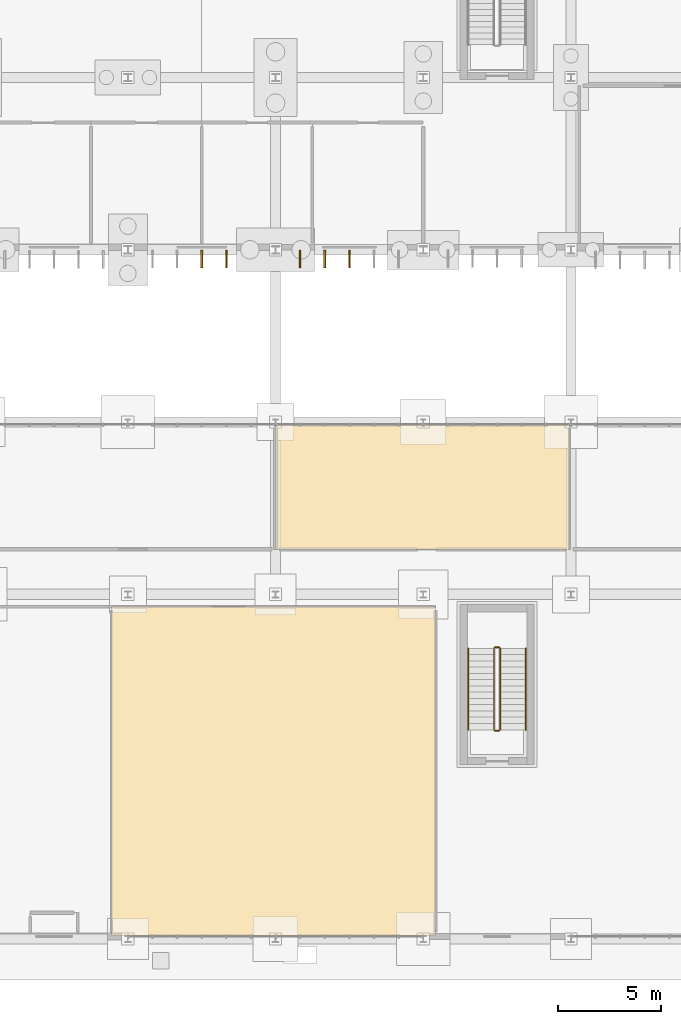
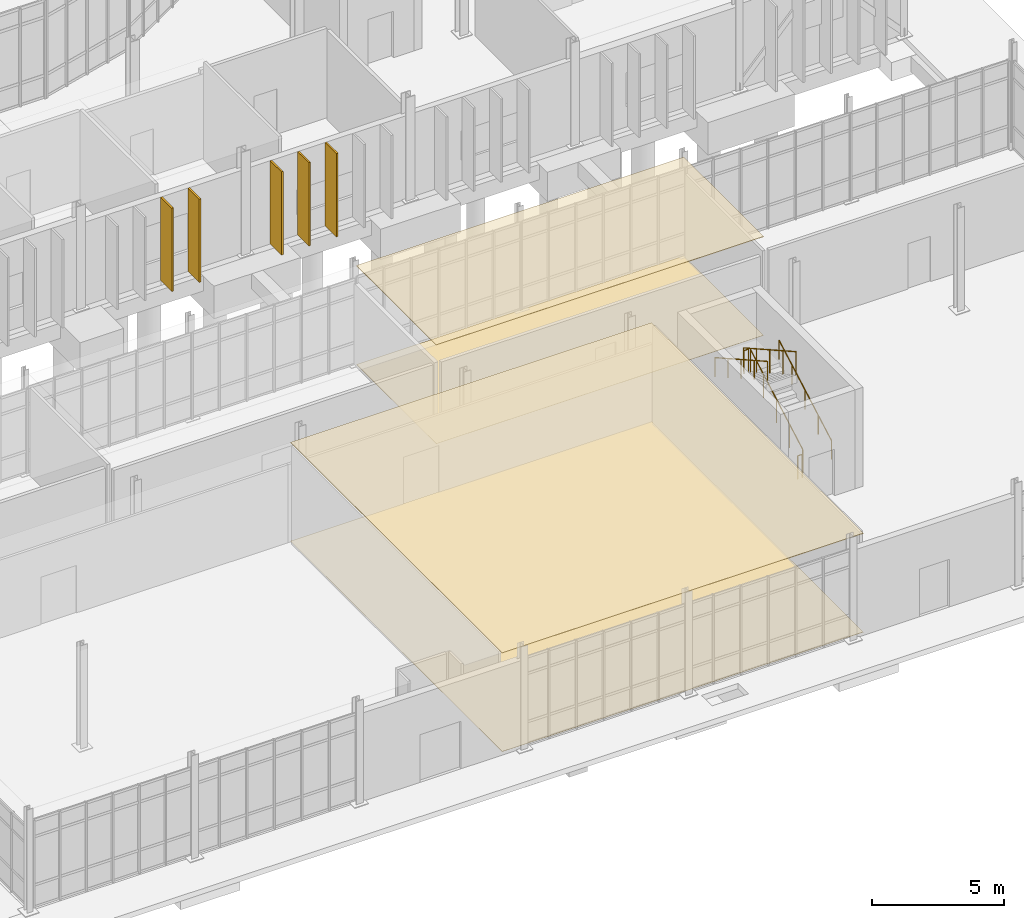
# One storey, part 115 of 118: 6 railings, 5 shading devices, 4 coverings.
"""IFC4 building model written with IfcOpenShell, lengths in metres."""

from ifc_helpers import new_model, si_unit, direction, frame, origin, origin_2d, place, context, subcontext, project, spatial, polyline, rectangle, circle, outline, extrude, material, layer, layer_set, type_object, element, save


model = new_model("IFC4")

# Units and contexts
model_context = context("Model", 3, precision=1e-05, world=origin(), true_north=direction((0.0, 1.0)))
body_context = subcontext(model_context, "Body", "Model", "MODEL_VIEW")
ifc_project = project(units=[si_unit("LENGTHUNIT", "METRE"), si_unit("AREAUNIT", "SQUARE_METRE"), si_unit("VOLUMEUNIT", "CUBIC_METRE"), si_unit("PLANEANGLEUNIT", "RADIAN"), si_unit("MASSUNIT", "GRAM", prefix="KILO")], contexts=[model_context])

# Site, building, storey
site_placement = place(None, origin())
site = spatial("IfcSite", under=ifc_project, at=site_placement, CompositionType="ELEMENT")
building_placement = place(site_placement, origin())
building = spatial("IfcBuilding", under=site, at=building_placement, Name="Qelthora Terrace Specialist Clinic", CompositionType="ELEMENT")
storey_placement = place(building_placement, origin())
storey = spatial("IfcBuildingStorey", under=building, at=storey_placement, Name="L00", CompositionType="ELEMENT", Elevation=0.0)

# Coverings
ifc_material_1 = material(Name="Hygienic mineral-fibre acoustic ceiling", Category="gypsum")
ifc_layer_1 = layer(ifc_material_1, 0.02490234375)
ifc_layer_set_1 = layer_set([ifc_layer_1], Name="Hygienic mineral-fibre acoustic ceiling")
covering_type_1 = type_object("IfcCoveringType", Name="COV-CEIL-ACU-25", PredefinedType="CEILING", material=ifc_layer_set_1)
covering_1_placement = place(storey_placement, frame((0.0, 0.0, 4.554931640625)))
element("IfcCovering", 1, at=covering_1_placement, inside=storey, type_object=covering_type_1, Name="Patient Cafe and Dining Hall L00-22 acoustic ceiling", PredefinedType="CEILING", context=body_context, shape_type="SweptSolid", body=[
    extrude(outline(polyline([(121.60498046875, 0.14990234375), (121.60498046875, 16.199951171875), (137.39990234375, 16.199951171875), (137.39990234375, 0.14990234375), (121.60498046875, 0.14990234375)])), origin(), (0.0, 0.0, 1.0), 0.025146484375),
])
covering_2_placement = place(storey_placement, frame((0.0, 0.0, 4.56005859375)))
element("IfcCovering", 2, at=covering_2_placement, inside=storey, type_object=covering_type_1, Name="Cafe Preparation Kitchen L00-25 acoustic ceiling", PredefinedType="CEILING", context=body_context, shape_type="SweptSolid", body=[
    extrude(outline(polyline([(129.60498046875, 19.0), (129.60498046875, 25.050048828125), (143.925048828125, 25.050048828125), (143.925048828125, 19.0), (129.60498046875, 19.0)])), origin(), (0.0, 0.0, 1.0), 0.02490234375),
])
ifc_material_2 = material(Name="Antimicrobial clinical linoleum flooring", Category="other")
ifc_layer_2 = layer(ifc_material_2, 0.011962890625)
ifc_layer_set_2 = layer_set([ifc_layer_2], Name="Antimicrobial clinical linoleum flooring")
covering_type_2 = type_object("IfcCoveringType", Name="COV-FLR-LINO-12", PredefinedType="FLOORING", material=ifc_layer_set_2)
covering_3_placement = place(storey_placement, origin())
element("IfcCovering", 3, at=covering_3_placement, inside=storey, type_object=covering_type_2, Name="Patient Cafe and Dining Hall L00-22 resilient linoleum flooring", PredefinedType="FLOORING", context=body_context, shape_type="SweptSolid", body=[
    extrude(outline(polyline([(121.60498046875, 0.14990234375), (121.60498046875, 16.199951171875), (137.39990234375, 16.199951171875), (137.39990234375, 0.14990234375), (121.60498046875, 0.14990234375)])), origin(), (0.0, 0.0, 1.0), 0.011962890625),
])
covering_4_placement = place(storey_placement, origin())
element("IfcCovering", 4, at=covering_4_placement, inside=storey, type_object=covering_type_2, Name="Cafe Preparation Kitchen L00-25 resilient linoleum flooring", PredefinedType="FLOORING", context=body_context, shape_type="SweptSolid", body=[
    extrude(outline(polyline([(129.60498046875, 19.0), (129.60498046875, 25.050048828125), (143.925048828125, 25.050048828125), (143.925048828125, 19.0), (129.60498046875, 19.0)])), origin(), (0.0, 0.0, 1.0), 0.011962890625),
])

# Railings
ifc_material_3 = material(Name="Steel S355", Category="steel")
railing_type_1 = type_object("IfcRailingType", Name="RAL-GD-1100-S355", PredefinedType="GUARDRAIL", material=ifc_material_3)
railing_1_placement = place(storey_placement, frame((140.550048828125, 10.199951171875, 0.17138671875)))
element("IfcRailing", 5, at=railing_1_placement, inside=storey, type_object=railing_type_1, Name="L00 ST-08 stair guard 1", PredefinedType="GUARDRAIL", context=body_context, shape_type="SweptSolid", body=[
    extrude(circle(Radius=0.02392578125, at=origin_2d()), frame((0.0, 0.0, 1.076171875), z_axis=(0.0, 0.871748933509, 0.489952851738), x_axis=(-1.0, 0.0, 0.0)), (0.0, 0.0, 1.0), 4.54833984375),
    extrude(circle(Radius=0.02099609375, at=origin_2d()), origin(), (0.0, 0.0, 1.0), 1.052001953125),
    extrude(circle(Radius=0.02099609375, at=origin_2d()), frame((0.0, 0.9912109375, 0.55712890625)), (0.0, 0.0, 1.0), 1.052001953125),
    extrude(circle(Radius=0.02099609375, at=origin_2d()), frame((0.0, 1.982421875, 1.1142578125)), (0.0, 0.0, 1.0), 1.052001953125),
    extrude(circle(Radius=0.02099609375, at=origin_2d()), frame((0.0, 2.973876953125, 1.67138671875)), (0.0, 0.0, 1.0), 1.052001953125),
    extrude(circle(Radius=0.02099609375, at=origin_2d()), frame((0.0, 3.965087890625, 2.228515625)), (0.0, 0.0, 1.0), 1.052001953125),
])
railing_2_placement = place(storey_placement, frame((140.5, 14.215087890625, 2.39990234375)))
element("IfcRailing", 6, at=railing_2_placement, inside=storey, type_object=railing_type_1, Name="L00 ST-08 stair guard 2", PredefinedType="GUARDRAIL", context=body_context, shape_type="SweptSolid", body=[
    extrude(circle(Radius=0.02392578125, at=origin_2d()), frame((0.0, 0.0, 1.076171875), z_axis=(-1.0, 0.0, 0.0), x_axis=(0.0, -1.0, 0.0)), (0.0, 0.0, 1.0), 0.199951171875),
    extrude(circle(Radius=0.02099609375, at=origin_2d()), origin(), (0.0, 0.0, 1.0), 1.052001953125),
    extrude(circle(Radius=0.02099609375, at=origin_2d()), frame((-0.199951171875, 0.0, 0.0)), (0.0, 0.0, 1.0), 1.052001953125),
])
railing_3_placement = place(storey_placement, frame((140.25, 14.1650390625, 2.571533203125)))
element("IfcRailing", 7, at=railing_3_placement, inside=storey, type_object=railing_type_1, Name="L00 ST-08 stair guard 3", PredefinedType="GUARDRAIL", context=body_context, shape_type="SweptSolid", body=[
    extrude(circle(Radius=0.02392578125, at=origin_2d()), frame((0.0, 0.0, 1.076171875), z_axis=(0.0, -0.871748933509, 0.489952851738), x_axis=(1.0, 0.0, 0.0)), (0.0, 0.0, 1.0), 4.54833984375),
    extrude(circle(Radius=0.02099609375, at=origin_2d()), origin(), (0.0, 0.0, 1.0), 1.052001953125),
    extrude(circle(Radius=0.02099609375, at=origin_2d()), frame((0.0, -0.9912109375, 0.55712890625)), (0.0, 0.0, 1.0), 1.052001953125),
    extrude(circle(Radius=0.02099609375, at=origin_2d()), frame((0.0, -1.982421875, 1.1142578125)), (0.0, 0.0, 1.0), 1.052001953125),
    extrude(circle(Radius=0.02099609375, at=origin_2d()), frame((0.0, -2.973876953125, 1.67138671875)), (0.0, 0.0, 1.0), 1.052001953125),
    extrude(circle(Radius=0.02099609375, at=origin_2d()), frame((0.0, -3.965087890625, 2.228515625)), (0.0, 0.0, 1.0), 1.052001953125),
])
railing_4_placement = place(storey_placement, frame((140.5, 10.14990234375, 0.0)))
element("IfcRailing", 8, at=railing_4_placement, inside=storey, type_object=railing_type_1, Name="L00 ST-08 stair guard 4", PredefinedType="GUARDRAIL", context=body_context, shape_type="SweptSolid", body=[
    extrude(circle(Radius=0.02392578125, at=origin_2d()), frame((0.0, 0.0, 1.076171875), z_axis=(-1.0, 0.0, 0.0), x_axis=(0.0, -1.0, 0.0)), (0.0, 0.0, 1.0), 0.199951171875),
    extrude(circle(Radius=0.02099609375, at=origin_2d()), origin(), (0.0, 0.0, 1.0), 1.052001953125),
    extrude(circle(Radius=0.02099609375, at=origin_2d()), frame((-0.199951171875, 0.0, 0.0)), (0.0, 0.0, 1.0), 1.052001953125),
])
railing_type_2 = type_object("IfcRailingType", Name="RAL-HR-900-S355", PredefinedType="HANDRAIL", material=ifc_material_3)
railing_5_placement = place(storey_placement, frame((141.800048828125, 10.199951171875, 0.36083984375)))
element("IfcRailing", 9, at=railing_5_placement, inside=storey, type_object=railing_type_2, Name="L00 ST-08 stair handrail 1", PredefinedType="HANDRAIL", context=body_context, shape_type="SweptSolid", body=[
    extrude(circle(Radius=0.02392578125, at=origin_2d()), frame((0.0, 0.0, 0.8759765625), z_axis=(0.0, 0.871748933509, 0.489952851738), x_axis=(-1.0, 0.0, 0.0)), (0.0, 0.0, 1.0), 4.54833984375),
    extrude(circle(Radius=0.02099609375, at=origin_2d()), origin(), (0.0, 0.0, 1.0), 0.851806640625),
    extrude(circle(Radius=0.02099609375, at=origin_2d()), frame((0.0, 0.9912109375, 0.55712890625)), (0.0, 0.0, 1.0), 0.851806640625),
    extrude(circle(Radius=0.02099609375, at=origin_2d()), frame((0.0, 1.982421875, 1.1142578125)), (0.0, 0.0, 1.0), 0.851806640625),
    extrude(circle(Radius=0.02099609375, at=origin_2d()), frame((0.0, 2.973876953125, 1.67138671875)), (0.0, 0.0, 1.0), 0.851806640625),
    extrude(circle(Radius=0.02099609375, at=origin_2d()), frame((0.0, 3.965087890625, 2.228515625)), (0.0, 0.0, 1.0), 0.851806640625),
])
railing_6_placement = place(storey_placement, frame((139.0, 14.1650390625, 2.7607421875)))
element("IfcRailing", 10, at=railing_6_placement, inside=storey, type_object=railing_type_2, Name="L00 ST-08 stair handrail 2", PredefinedType="HANDRAIL", context=body_context, shape_type="SweptSolid", body=[
    extrude(circle(Radius=0.02392578125, at=origin_2d()), frame((0.0, 0.0, 0.8759765625), z_axis=(0.0, -0.871726007364, 0.489993640861), x_axis=(1.0, 0.0, 0.0)), (0.0, 0.0, 1.0), 4.548583984375),
    extrude(circle(Radius=0.02099609375, at=origin_2d()), origin(), (0.0, 0.0, 1.0), 0.851806640625),
    extrude(circle(Radius=0.02099609375, at=origin_2d()), frame((0.0, -0.9912109375, 0.55712890625)), (0.0, 0.0, 1.0), 0.851806640625),
    extrude(circle(Radius=0.02099609375, at=origin_2d()), frame((0.0, -1.982421875, 1.1142578125)), (0.0, 0.0, 1.0), 0.851806640625),
    extrude(circle(Radius=0.02099609375, at=origin_2d()), frame((0.0, -2.973876953125, 1.671630859375)), (0.0, 0.0, 1.0), 0.851806640625),
    extrude(circle(Radius=0.02099609375, at=origin_2d()), frame((0.0, -3.965087890625, 2.228759765625)), (0.0, 0.0, 1.0), 0.851806640625),
])

# Shading devices
ifc_material_4 = material(Name="Glulam timber GL28h", Category="wood")
shading_device_type = type_object("IfcShadingDeviceType", Name="SHD-FIN-850", PredefinedType="USERDEFINED", material=ifc_material_4)
for number, where, z_axis, x_axis, name in (
    (11, (126.0, 33.14501953125, 0.0), (0.0, 0.0, 1.0), (0.0, -1.0, 0.0), "Exterior solar shading fin FIN-0381"),
    (12, (127.199951171875, 33.14501953125, 0.0), (0.0, 0.0, 1.0), (0.0, -1.0, 0.0), "Exterior solar shading fin FIN-0382"),
    (13, (130.800048828125, 33.155029296875, 0.0), (0.0, 0.0, 1.0), (0.0, -1.0, 0.0), "Exterior solar shading fin FIN-0383"),
    (14, (132.0, 33.155029296875, 0.0), (0.0, 0.0, 1.0), (0.0, -1.0, 0.0), "Exterior solar shading fin FIN-0384"),
    (15, (133.199951171875, 33.155029296875, 0.0), (0.0, 0.0, 1.0), (0.0, -1.0, 0.0), "Exterior solar shading fin FIN-0385"),
):
    element("IfcShadingDevice", number, at=place(storey_placement, frame(where, z_axis=z_axis, x_axis=x_axis)), inside=storey, type_object=shading_device_type, Name=name, ObjectType="FIN", PredefinedType="USERDEFINED", context=body_context, shape_type="SweptSolid", body=[
        extrude(rectangle(XDim=0.85009765625, YDim=0.080078125, at=origin_2d()), origin(), (0.0, 0.0, 1.0), 3.84912109375),
    ])

save(model, "model.ifc")
